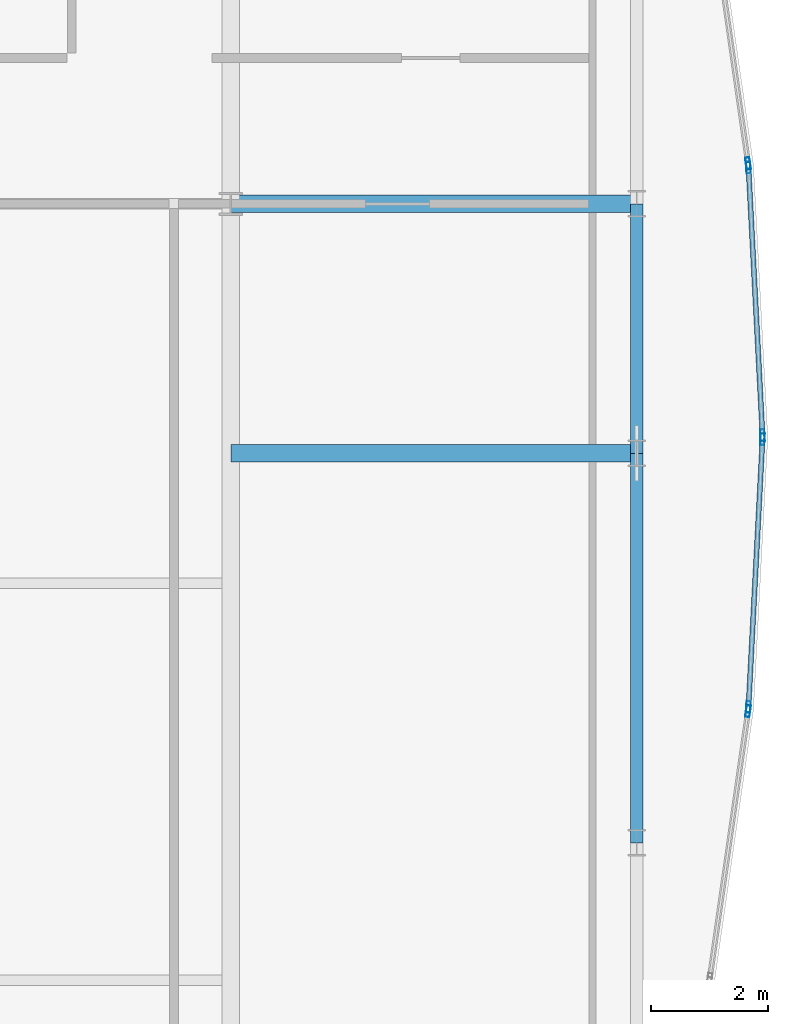
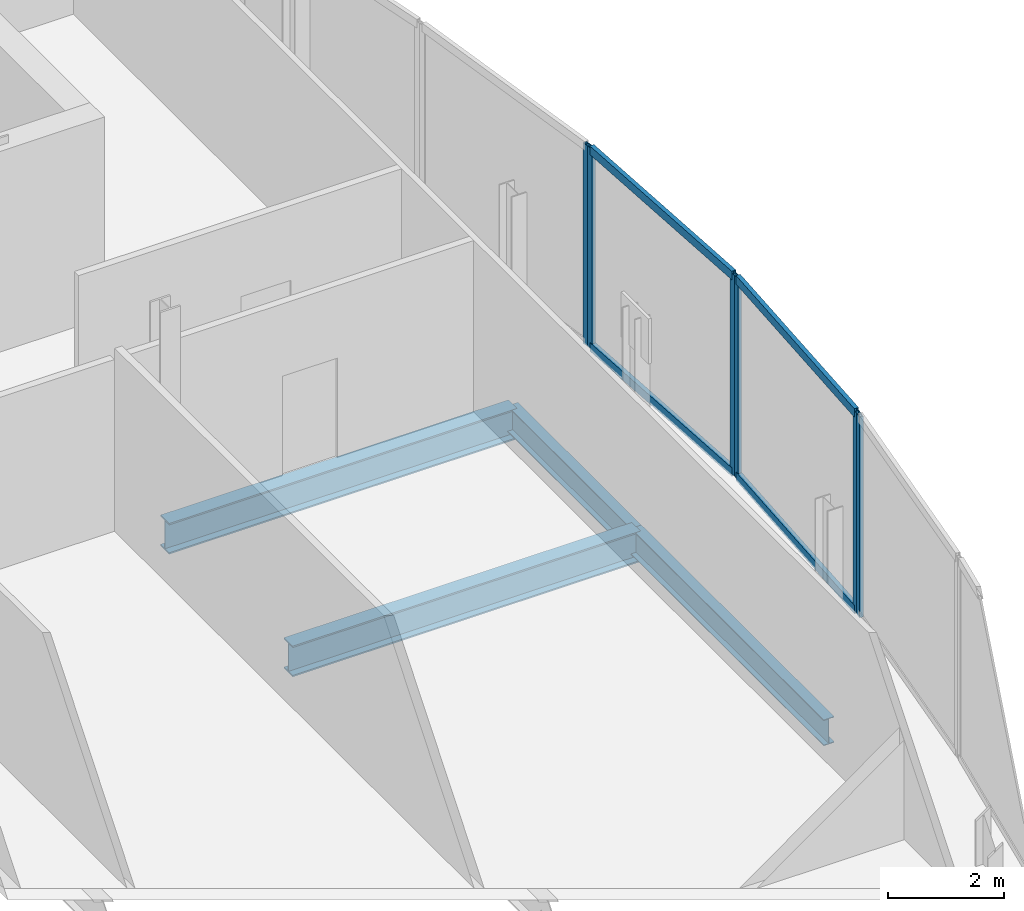
# One storey, part 16 of 27: 10 members, 4 beams, 4 elements without a shape of their own.
"""IFC4 building model written with IfcOpenShell, lengths in metres."""

from ifc_helpers import new_model, si_unit, direction, frame, origin, origin_2d, place, context, subcontext, project, spatial, hollow_rectangle, i_section, extrude, material, material_profile, profile_set, type_object, element, aggregate, save


model = new_model("IFC4")

# Units and contexts
model_context = context("Model", 3, precision=1e-05, world=origin(), true_north=direction((0.0, 1.0)))
body_context = subcontext(model_context, "Body", "Model", "MODEL_VIEW")
ifc_project = project(units=[si_unit("LENGTHUNIT", "METRE"), si_unit("AREAUNIT", "SQUARE_METRE"), si_unit("VOLUMEUNIT", "CUBIC_METRE"), si_unit("PLANEANGLEUNIT", "RADIAN"), si_unit("MASSUNIT", "GRAM", prefix="KILO")], contexts=[model_context])

# Site, building, storey
site_placement = place(None, origin())
site = spatial("IfcSite", under=ifc_project, at=site_placement, CompositionType="ELEMENT")
building_placement = place(site_placement, origin())
building = spatial("IfcBuilding", under=site, at=building_placement, Name="Khoronbel Lancet Exchange", CompositionType="ELEMENT")
storey_placement = place(building_placement, frame((0.0, 0.0, 310.199951171875)))
storey = spatial("IfcBuildingStorey", under=building, at=storey_placement, Name="L80", CompositionType="ELEMENT", Elevation=310.199951171875)

# Beams
ifc_material_1 = material(Name="Steel S355", Category="steel")
ifc_material_profile_1 = material_profile(ifc_material_1, i_section(OverallWidth=0.300048828125, OverallDepth=0.64990234375, WebThickness=0.01611328125, FlangeThickness=0.031005859375, at=origin_2d()), Name="HEB 650")
ifc_profile_set_1 = profile_set([ifc_material_profile_1], Name="Steel S355")
beam_type_1 = type_object("IfcBeamType", Name="BM-BG4", PredefinedType="BEAM", material=ifc_profile_set_1)
for number, where, z_axis, x_axis, name in (
    (1, (54.675048828125, 31.425048828125, -0.48486328125), (1.0, 0.0, 0.0), (0.0, 1.0, 0.0), "Level L80 east lens tie girder LG2E"),
    (2, (54.675048828125, 35.699951171875, -0.48486328125), (1.0, 0.0, 0.0), (0.0, 1.0, 0.0), "Level L80 east lens tie girder LG4E"),
):
    element("IfcBeam", number, at=place(storey_placement, frame(where, z_axis=z_axis, x_axis=x_axis)), inside=storey, type_object=beam_type_1, Name=name, PredefinedType="BEAM", context=body_context, shape_type="SweptSolid", body=[
        extrude(i_section(OverallWidth=0.300048828125, OverallDepth=0.64990234375, WebThickness=0.01611328125, FlangeThickness=0.031005859375, at=origin_2d()), origin(), (0.0, 0.0, 1.0), 6.954833984375),
    ])
ifc_material_profile_2 = material_profile(ifc_material_1, i_section(OverallWidth=0.2099609375, OverallDepth=0.550048828125, WebThickness=0.010986328125, FlangeThickness=0.01708984375, at=origin_2d()), Name="IPE 550")
ifc_profile_set_2 = profile_set([ifc_material_profile_2], Name="Steel S355")
beam_type_2 = type_object("IfcBeamType", Name="BM-BSP3", PredefinedType="SPANDREL", material=ifc_profile_set_2)
beam_1_placement = place(storey_placement, frame((61.6298828125, 24.75, -0.43505859375), z_axis=(0.0, 1.0, 0.0), x_axis=(-1.0, 0.0, 0.0)))
element("IfcBeam", 3, at=beam_1_placement, inside=storey, type_object=beam_type_2, Name="Level L80 perimeter spandrel beam SP10", PredefinedType="SPANDREL", context=body_context, shape_type="SweptSolid", body=[
    extrude(i_section(OverallWidth=0.2099609375, OverallDepth=0.550048828125, WebThickness=0.010986328125, FlangeThickness=0.01708984375, at=origin_2d()), origin(), (0.0, 0.0, 1.0), 6.675048828125),
])
beam_2_placement = place(storey_placement, frame((61.6298828125, 31.425048828125, -0.43505859375), z_axis=(0.0, 1.0, 0.0), x_axis=(-1.0, 0.0, 0.0)))
element("IfcBeam", 4, at=beam_2_placement, inside=storey, type_object=beam_type_2, Name="Level L80 perimeter spandrel beam SP11", PredefinedType="SPANDREL", context=body_context, shape_type="SweptSolid", body=[
    extrude(i_section(OverallWidth=0.2099609375, OverallDepth=0.550048828125, WebThickness=0.010986328125, FlangeThickness=0.01708984375, at=origin_2d()), origin(), (0.0, 0.0, 1.0), 4.27490234375),
])

# Curtain wall, member
ifc_material_2 = material(Name="Low-E Solar Control Insulating Glass", Category="glass")
curtain_wall_type = type_object("IfcCurtainWallType", Name="CW-4", PredefinedType="NOTDEFINED", material=ifc_material_2)
curtain_wall_1_placement = place(storey_placement, origin())
curtain_wall_1 = element("IfcCurtainWall", 5, at=curtain_wall_1_placement, inside=storey, type_object=curtain_wall_type, Name="Unitised curtain wall CW-L80-E18", PredefinedType="NOTDEFINED")
ifc_material_3 = material(Name="Bronze-Anodised Aluminium 6063-T6", Category="aluminium")
ifc_material_profile_3 = material_profile(ifc_material_3, hollow_rectangle(XDim=0.074951171875, YDim=0.199951171875, WallThickness=0.0048828125, at=origin_2d()), Name="ALU MULLION 75x200")
ifc_profile_set_3 = profile_set([ifc_material_profile_3], Name="Bronze-Anodised Aluminium 6063-T6")
member_type_1 = type_object("IfcMemberType", Name="MEM-CWM2", PredefinedType="MULLION", material=ifc_profile_set_3)
member_1_placement = place(storey_placement, frame((63.537841796875, 36.39501953125, 0.0), z_axis=(0.0, 0.0, 1.0), x_axis=(0.989880131819, 0.141906041556, 0.0)))
member_1 = element("IfcMember", 6, at=member_1_placement, type_object=member_type_1, Name="CW4 mullion 2", PredefinedType="MULLION", context=body_context, shape_type="SweptSolid", body=[
    extrude(hollow_rectangle(XDim=0.074951171875, YDim=0.199951171875, WallThickness=0.0048828125, at=origin_2d()), origin(), (0.0, 0.0, 1.0), 4.239990234375),
])
aggregate(curtain_wall_1, [member_1])

# Curtain wall, members
curtain_wall_2_placement = place(storey_placement, origin())
curtain_wall_2 = element("IfcCurtainWall", 7, at=curtain_wall_2_placement, inside=storey, type_object=curtain_wall_type, Name="Unitised curtain wall CW-L80-E19", PredefinedType="NOTDEFINED")
member_2_placement = place(storey_placement, frame((63.545166015625, 36.320556640625, 0.0), z_axis=(0.0, 0.0, 1.0), x_axis=(0.998625163462, 0.052419298932, 0.0)))
member_2 = element("IfcMember", 8, at=member_2_placement, type_object=member_type_1, Name="CW4 mullion 1", PredefinedType="MULLION", context=body_context, shape_type="SweptSolid", body=[
    extrude(hollow_rectangle(XDim=0.074951171875, YDim=0.199951171875, WallThickness=0.0048828125, at=origin_2d()), origin(), (0.0, 0.0, 1.0), 4.239990234375),
])
member_3_placement = place(storey_placement, frame((63.78564453125, 31.737548828125, 0.0), z_axis=(0.0, 0.0, 1.0), x_axis=(0.998625163462, 0.052419298932, 0.0)))
member_3 = element("IfcMember", 9, at=member_3_placement, type_object=member_type_1, Name="CW4 mullion 2", PredefinedType="MULLION", context=body_context, shape_type="SweptSolid", body=[
    extrude(hollow_rectangle(XDim=0.074951171875, YDim=0.199951171875, WallThickness=0.0048828125, at=origin_2d()), origin(), (0.0, 0.0, 1.0), 4.239990234375),
])

curtain_wall_3_placement = place(storey_placement, origin())
curtain_wall_3 = element("IfcCurtainWall", 10, at=curtain_wall_3_placement, inside=storey, type_object=curtain_wall_type, Name="Unitised curtain wall CW-L80-E20", PredefinedType="NOTDEFINED")
member_4_placement = place(storey_placement, frame((63.78564453125, 31.66259765625, 0.0), z_axis=(0.0, 0.0, 1.0), x_axis=(0.998625163462, -0.052419298932, 0.0)))
member_4 = element("IfcMember", 11, at=member_4_placement, type_object=member_type_1, Name="CW4 mullion 1", PredefinedType="MULLION", context=body_context, shape_type="SweptSolid", body=[
    extrude(hollow_rectangle(XDim=0.074951171875, YDim=0.199951171875, WallThickness=0.0048828125, at=origin_2d()), origin(), (0.0, 0.0, 1.0), 4.239990234375),
])
member_5_placement = place(storey_placement, frame((63.545166015625, 27.07958984375, 0.0), z_axis=(0.0, 0.0, 1.0), x_axis=(0.998625163462, -0.052419298932, 0.0)))
member_5 = element("IfcMember", 12, at=member_5_placement, type_object=member_type_1, Name="CW4 mullion 2", PredefinedType="MULLION", context=body_context, shape_type="SweptSolid", body=[
    extrude(hollow_rectangle(XDim=0.074951171875, YDim=0.199951171875, WallThickness=0.0048828125, at=origin_2d()), origin(), (0.0, 0.0, 1.0), 4.239990234375),
])

# Curtain wall, member
curtain_wall_4_placement = place(storey_placement, origin())
curtain_wall_4 = element("IfcCurtainWall", 13, at=curtain_wall_4_placement, inside=storey, type_object=curtain_wall_type, Name="Unitised curtain wall CW-L80-E21", PredefinedType="NOTDEFINED")
member_6_placement = place(storey_placement, frame((63.537841796875, 27.0048828125, 0.0), z_axis=(0.0, 0.0, 1.0), x_axis=(0.989880131819, -0.141906041556, 0.0)))
member_6 = element("IfcMember", 14, at=member_6_placement, type_object=member_type_1, Name="CW4 mullion 1", PredefinedType="MULLION", context=body_context, shape_type="SweptSolid", body=[
    extrude(hollow_rectangle(XDim=0.074951171875, YDim=0.199951171875, WallThickness=0.0048828125, at=origin_2d()), origin(), (0.0, 0.0, 1.0), 4.239990234375),
])
aggregate(curtain_wall_4, [member_6])

# Member
ifc_material_profile_4 = material_profile(ifc_material_3, hollow_rectangle(XDim=0.0849609375, YDim=0.179931640625, WallThickness=0.0048828125, at=origin_2d()), Name="ALU TRANSOM 85x180")
ifc_profile_set_4 = profile_set([ifc_material_profile_4], Name="Bronze-Anodised Aluminium 6063-T6")
member_type_2 = type_object("IfcMemberType", Name="MEM-CWT1", PredefinedType="USERDEFINED", material=ifc_profile_set_4)
member_7_placement = place(storey_placement, frame((63.547119140625, 36.282958984375, 0.04248046875), z_axis=(0.052405550102, -0.998625885063, 0.0), x_axis=(0.998625885063, 0.052405550102, 0.0)))
member_7 = element("IfcMember", 15, at=member_7_placement, type_object=member_type_2, Name="CW4 transom 1.1", ObjectType="TRANSOM", PredefinedType="USERDEFINED", context=body_context, shape_type="SweptSolid", body=[
    extrude(hollow_rectangle(XDim=0.0849609375, YDim=0.179931640625, WallThickness=0.0048828125, at=origin_2d()), origin(), (0.0, 0.0, 1.0), 4.51416015625),
])

member_8_placement = place(storey_placement, frame((63.547119140625, 36.282958984375, 4.197509765625), z_axis=(0.052405550102, -0.998625885063, 0.0), x_axis=(0.998625885063, 0.052405550102, 0.0)))
member_8 = element("IfcMember", 16, at=member_8_placement, type_object=member_type_2, Name="CW4 transom 1.2", ObjectType="TRANSOM", PredefinedType="USERDEFINED", context=body_context, shape_type="SweptSolid", body=[
    extrude(hollow_rectangle(XDim=0.0849609375, YDim=0.179931640625, WallThickness=0.0048828125, at=origin_2d()), origin(), (0.0, 0.0, 1.0), 4.51416015625),
])

aggregate(curtain_wall_2, [member_2, member_3, member_7, member_8])

member_9_placement = place(storey_placement, frame((63.78369140625, 31.625, 0.04248046875), z_axis=(-0.052405550102, -0.998625885063, 0.0), x_axis=(0.998625885063, -0.052405550102, 0.0)))
member_9 = element("IfcMember", 17, at=member_9_placement, type_object=member_type_2, Name="CW4 transom 1.1", ObjectType="TRANSOM", PredefinedType="USERDEFINED", context=body_context, shape_type="SweptSolid", body=[
    extrude(hollow_rectangle(XDim=0.0849609375, YDim=0.179931640625, WallThickness=0.0048828125, at=origin_2d()), origin(), (0.0, 0.0, 1.0), 4.51416015625),
])

member_10_placement = place(storey_placement, frame((63.78369140625, 31.625, 4.197509765625), z_axis=(-0.052405550102, -0.998625885063, 0.0), x_axis=(0.998625885063, -0.052405550102, 0.0)))
member_10 = element("IfcMember", 18, at=member_10_placement, type_object=member_type_2, Name="CW4 transom 1.2", ObjectType="TRANSOM", PredefinedType="USERDEFINED", context=body_context, shape_type="SweptSolid", body=[
    extrude(hollow_rectangle(XDim=0.0849609375, YDim=0.179931640625, WallThickness=0.0048828125, at=origin_2d()), origin(), (0.0, 0.0, 1.0), 4.51416015625),
])

aggregate(curtain_wall_3, [member_4, member_5, member_9, member_10])

save(model, "model.ifc")
